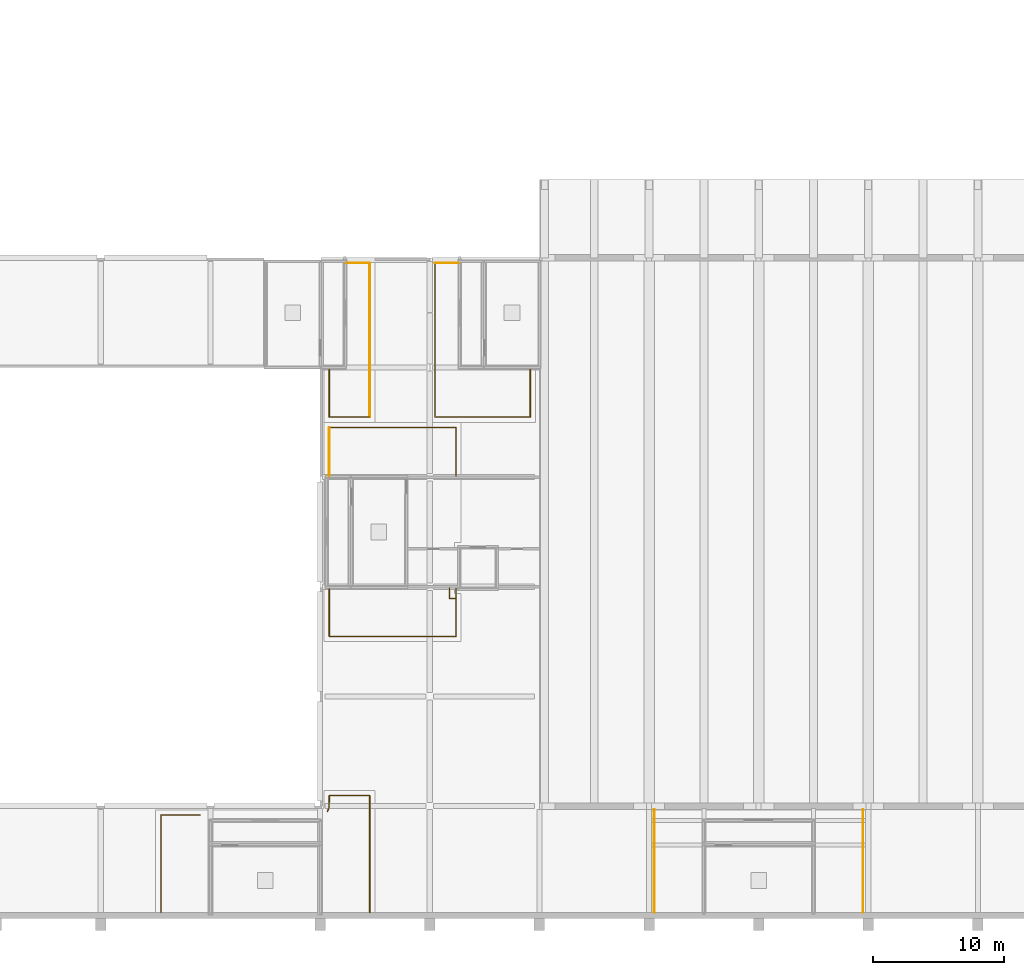
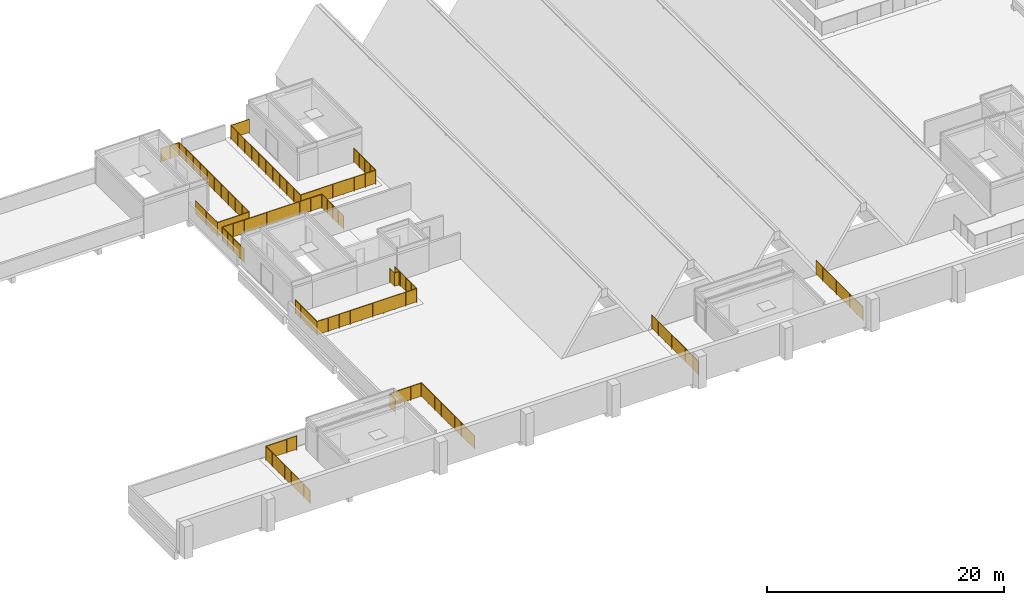
# One storey, part 21 of 24: 12 railings.
"""IFC4 building model written with IfcOpenShell, lengths in metres."""

from ifc_helpers import new_model, si_unit, direction, frame, origin, origin_2d, place, context, subcontext, project, spatial, polyline, circle, outline, extrude, material, type_object, element, save


model = new_model("IFC4")

# Units and contexts
model_context = context("Model", 3, precision=1e-05, world=origin(), true_north=direction((0.0, 1.0)))
body_context = subcontext(model_context, "Body", "Model", "MODEL_VIEW")
ifc_project = project(units=[si_unit("LENGTHUNIT", "METRE"), si_unit("AREAUNIT", "SQUARE_METRE"), si_unit("VOLUMEUNIT", "CUBIC_METRE"), si_unit("PLANEANGLEUNIT", "RADIAN"), si_unit("MASSUNIT", "GRAM", prefix="KILO")], contexts=[model_context])

# Site, building, storey
site_placement = place(None, origin())
site = spatial("IfcSite", under=ifc_project, at=site_placement, CompositionType="ELEMENT")
building_placement = place(site_placement, origin())
building = spatial("IfcBuilding", under=site, at=building_placement, Name="Rulbaag Community and Learning Centre", CompositionType="ELEMENT")
storey_placement = place(building_placement, frame((0.0, 0.0, 14.39990234375)))
storey = spatial("IfcBuildingStorey", under=building, at=storey_placement, Name="L03", CompositionType="ELEMENT", Elevation=14.39990234375)

# Railings
ifc_material = material(Name="Galvanised mild steel", Category="steel")
railing_type = type_object("IfcRailingType", Name="RL-150", PredefinedType="GUARDRAIL", material=ifc_material)
railing_1_placement = place(storey_placement, frame((29.0, 38.199951171875, 0.0)))
element("IfcRailing", 1, at=railing_1_placement, inside=storey, type_object=railing_type, Name="Terrace guard", PredefinedType="GUARDRAIL", context=body_context, shape_type="SweptSolid", body=[
    extrude(circle(Radius=0.02490234375, at=origin_2d()), frame((0.0, 0.0, 1.47509765625), z_axis=(-1.0, 0.0, 0.0), x_axis=(0.0, -1.0, 0.0)), (0.0, 0.0, 1.0), 3.10009765625),
    extrude(circle(Radius=0.02490234375, at=origin_2d()), frame((-3.10009765625, 0.0, 1.47509765625), z_axis=(-0.000263939285, 0.999999965168, 0.0), x_axis=(-0.999999965168, -0.000263939285, 0.0)), (0.0, 0.0, 1.0), 3.699951171875),
    extrude(circle(Radius=0.02001953125, at=origin_2d()), origin(), (0.0, 0.0, 1.0), 1.449951171875),
    extrude(circle(Radius=0.02001953125, at=origin_2d()), frame((-1.033447265625, 0.0, 0.0)), (0.0, 0.0, 1.0), 1.449951171875),
    extrude(circle(Radius=0.02001953125, at=origin_2d()), frame((-2.066650390625, 0.0, 0.0)), (0.0, 0.0, 1.0), 1.449951171875),
    extrude(circle(Radius=0.02001953125, at=origin_2d()), frame((-3.10009765625, 0.0, 0.0)), (0.0, 0.0, 1.0), 1.449951171875),
    extrude(circle(Radius=0.02001953125, at=origin_2d()), frame((-3.100341796875, 0.925048828125, 0.0)), (0.0, 0.0, 1.0), 1.449951171875),
    extrude(circle(Radius=0.02001953125, at=origin_2d()), frame((-3.1005859375, 1.85009765625, 0.0)), (0.0, 0.0, 1.0), 1.449951171875),
    extrude(circle(Radius=0.02001953125, at=origin_2d()), frame((-3.100830078125, 2.77490234375, 0.0)), (0.0, 0.0, 1.0), 1.449951171875),
    extrude(circle(Radius=0.02001953125, at=origin_2d()), frame((-3.10107421875, 3.699951171875, 0.0)), (0.0, 0.0, 1.0), 1.449951171875),
    extrude(outline(polyline([(0.0, 0.0), (3.10009765625, 0.0), (3.10009765625, 1.349853515625), (0.0, 1.349853515625), (0.0, 0.0)])), frame((0.0, -0.0048828125, 0.10009765625), z_axis=(0.0, 1.0, 0.0), x_axis=(-1.0, 0.0, 0.0)), (0.0, 0.0, 1.0), 0.010009765625),
    extrude(outline(polyline([(0.0, 0.0), (3.699951171875, 0.0), (3.699951171875, 1.349853515625), (0.0, 1.349853515625), (0.0, 0.0)])), frame((-3.10498046875, 0.0, 0.10009765625), z_axis=(0.999999965168, 0.000263939285, 0.0), x_axis=(-0.000263939285, 0.999999965168, 0.0)), (0.0, 0.0, 1.0), 0.010009765625),
])
railing_2_placement = place(storey_placement, frame((27.199951171875, 50.0, 0.0)))
element("IfcRailing", 2, at=railing_2_placement, inside=storey, type_object=railing_type, Name="Terrace guard", PredefinedType="GUARDRAIL", context=body_context, shape_type="SweptSolid", body=[
    extrude(circle(Radius=0.02490234375, at=origin_2d()), frame((0.0, 0.0, 1.47509765625), z_axis=(1.0, 0.0, 0.0), x_axis=(0.0, 1.0, 0.0)), (0.0, 0.0, 1.0), 1.800048828125),
    extrude(circle(Radius=0.02490234375, at=origin_2d()), frame((1.800048828125, 0.0, 1.47509765625), z_axis=(0.0, -1.0, 0.0), x_axis=(1.0, 0.0, 0.0)), (0.0, 0.0, 1.0), 11.800048828125),
    extrude(circle(Radius=0.02001953125, at=origin_2d()), origin(), (0.0, 0.0, 1.0), 1.449951171875),
    extrude(circle(Radius=0.02001953125, at=origin_2d()), frame((0.89990234375, 0.0, 0.0)), (0.0, 0.0, 1.0), 1.449951171875),
    extrude(circle(Radius=0.02001953125, at=origin_2d()), frame((1.800048828125, 0.0, 0.0)), (0.0, 0.0, 1.0), 1.449951171875),
    extrude(circle(Radius=0.02001953125, at=origin_2d()), frame((1.800048828125, -1.179931640625, 0.0)), (0.0, 0.0, 1.0), 1.449951171875),
    extrude(circle(Radius=0.02001953125, at=origin_2d()), frame((1.800048828125, -2.360107421875, 0.0)), (0.0, 0.0, 1.0), 1.449951171875),
    extrude(circle(Radius=0.02001953125, at=origin_2d()), frame((1.800048828125, -3.5400390625, 0.0)), (0.0, 0.0, 1.0), 1.449951171875),
    extrude(circle(Radius=0.02001953125, at=origin_2d()), frame((1.800048828125, -4.719970703125, 0.0)), (0.0, 0.0, 1.0), 1.449951171875),
    extrude(circle(Radius=0.02001953125, at=origin_2d()), frame((1.800048828125, -5.89990234375, 0.0)), (0.0, 0.0, 1.0), 1.449951171875),
    extrude(circle(Radius=0.02001953125, at=origin_2d()), frame((1.800048828125, -7.080078125, 0.0)), (0.0, 0.0, 1.0), 1.449951171875),
    extrude(circle(Radius=0.02001953125, at=origin_2d()), frame((1.800048828125, -8.260009765625, 0.0)), (0.0, 0.0, 1.0), 1.449951171875),
    extrude(circle(Radius=0.02001953125, at=origin_2d()), frame((1.800048828125, -9.43994140625, 0.0)), (0.0, 0.0, 1.0), 1.449951171875),
    extrude(circle(Radius=0.02001953125, at=origin_2d()), frame((1.800048828125, -10.6201171875, 0.0)), (0.0, 0.0, 1.0), 1.449951171875),
    extrude(circle(Radius=0.02001953125, at=origin_2d()), frame((1.800048828125, -11.800048828125, 0.0)), (0.0, 0.0, 1.0), 1.449951171875),
    extrude(outline(polyline([(0.0, 0.0), (1.800048828125, 0.0), (1.800048828125, 1.349853515625), (0.0, 1.349853515625), (0.0, 0.0)])), frame((0.0, 0.0048828125, 0.10009765625), z_axis=(0.0, -1.0, 0.0), x_axis=(1.0, 0.0, 0.0)), (0.0, 0.0, 1.0), 0.010009765625),
    extrude(outline(polyline([(0.0, 0.0), (11.800048828125, 0.0), (11.800048828125, 1.349853515625), (0.0, 1.349853515625), (0.0, 0.0)])), frame((1.80517578125, 0.0, 0.10009765625), z_axis=(-1.0, 0.0, 0.0), x_axis=(0.0, -1.0, 0.0)), (0.0, 0.0, 1.0), 0.010009765625),
])
railing_3_placement = place(storey_placement, frame((25.89990234375, 33.699951171875, 0.0)))
element("IfcRailing", 3, at=railing_3_placement, inside=storey, type_object=railing_type, Name="Terrace guard", PredefinedType="GUARDRAIL", context=body_context, shape_type="SweptSolid", body=[
    extrude(circle(Radius=0.02490234375, at=origin_2d()), frame((0.0, 0.0, 1.47509765625), z_axis=(0.0, 1.0, 0.0), x_axis=(-1.0, 0.0, 0.0)), (0.0, 0.0, 1.0), 3.699951171875),
    extrude(circle(Radius=0.02001953125, at=origin_2d()), origin(), (0.0, 0.0, 1.0), 1.449951171875),
    extrude(circle(Radius=0.02001953125, at=origin_2d()), frame((0.0, 0.925048828125, 0.0)), (0.0, 0.0, 1.0), 1.449951171875),
    extrude(circle(Radius=0.02001953125, at=origin_2d()), frame((0.0, 1.85009765625, 0.0)), (0.0, 0.0, 1.0), 1.449951171875),
    extrude(circle(Radius=0.02001953125, at=origin_2d()), frame((0.0, 2.77490234375, 0.0)), (0.0, 0.0, 1.0), 1.449951171875),
    extrude(circle(Radius=0.02001953125, at=origin_2d()), frame((0.0, 3.699951171875, 0.0)), (0.0, 0.0, 1.0), 1.449951171875),
    extrude(outline(polyline([(0.0, 0.0), (3.699951171875, 0.0), (3.699951171875, 1.349853515625), (0.0, 1.349853515625), (0.0, 0.0)])), frame((-0.0048828125, 0.0, 0.10009765625), z_axis=(1.0, 0.0, 0.0), x_axis=(0.0, 1.0, 0.0)), (0.0, 0.0, 1.0), 0.010009765625),
])
railing_4_placement = place(storey_placement, frame((25.89990234375, 37.39990234375, 0.0)))
element("IfcRailing", 4, at=railing_4_placement, inside=storey, type_object=railing_type, Name="Terrace guard", PredefinedType="GUARDRAIL", context=body_context, shape_type="SweptSolid", body=[
    extrude(circle(Radius=0.02490234375, at=origin_2d()), frame((0.0, 0.0, 1.47509765625), z_axis=(1.0, 0.0, 0.0), x_axis=(0.0, 1.0, 0.0)), (0.0, 0.0, 1.0), 9.7001953125),
    extrude(circle(Radius=0.02490234375, at=origin_2d()), frame((9.7001953125, 0.0, 1.47509765625), z_axis=(0.0, -1.0, 0.0), x_axis=(1.0, 0.0, 0.0)), (0.0, 0.0, 1.0), 3.699951171875),
    extrude(circle(Radius=0.02001953125, at=origin_2d()), origin(), (0.0, 0.0, 1.0), 1.449951171875),
    extrude(circle(Radius=0.02001953125, at=origin_2d()), frame((1.077880859375, 0.0, 0.0)), (0.0, 0.0, 1.0), 1.449951171875),
    extrude(circle(Radius=0.02001953125, at=origin_2d()), frame((2.155517578125, 0.0, 0.0)), (0.0, 0.0, 1.0), 1.449951171875),
    extrude(circle(Radius=0.02001953125, at=origin_2d()), frame((3.2333984375, 0.0, 0.0)), (0.0, 0.0, 1.0), 1.449951171875),
    extrude(circle(Radius=0.02001953125, at=origin_2d()), frame((4.311279296875, 0.0, 0.0)), (0.0, 0.0, 1.0), 1.449951171875),
    extrude(circle(Radius=0.02001953125, at=origin_2d()), frame((5.388916015625, 0.0, 0.0)), (0.0, 0.0, 1.0), 1.449951171875),
    extrude(circle(Radius=0.02001953125, at=origin_2d()), frame((6.466796875, 0.0, 0.0)), (0.0, 0.0, 1.0), 1.449951171875),
    extrude(circle(Radius=0.02001953125, at=origin_2d()), frame((7.544677734375, 0.0, 0.0)), (0.0, 0.0, 1.0), 1.449951171875),
    extrude(circle(Radius=0.02001953125, at=origin_2d()), frame((8.622314453125, 0.0, 0.0)), (0.0, 0.0, 1.0), 1.449951171875),
    extrude(circle(Radius=0.02001953125, at=origin_2d()), frame((9.7001953125, 0.0, 0.0)), (0.0, 0.0, 1.0), 1.449951171875),
    extrude(circle(Radius=0.02001953125, at=origin_2d()), frame((9.7001953125, -0.925048828125, 0.0)), (0.0, 0.0, 1.0), 1.449951171875),
    extrude(circle(Radius=0.02001953125, at=origin_2d()), frame((9.7001953125, -1.85009765625, 0.0)), (0.0, 0.0, 1.0), 1.449951171875),
    extrude(circle(Radius=0.02001953125, at=origin_2d()), frame((9.7001953125, -2.77490234375, 0.0)), (0.0, 0.0, 1.0), 1.449951171875),
    extrude(circle(Radius=0.02001953125, at=origin_2d()), frame((9.7001953125, -3.699951171875, 0.0)), (0.0, 0.0, 1.0), 1.449951171875),
    extrude(outline(polyline([(0.0, 0.0), (9.7001953125, 0.0), (9.7001953125, 1.349853515625), (0.0, 1.349853515625), (0.0, 0.0)])), frame((0.0, 0.0048828125, 0.10009765625), z_axis=(0.0, -1.0, 0.0), x_axis=(1.0, 0.0, 0.0)), (0.0, 0.0, 1.0), 0.010009765625),
    extrude(outline(polyline([(0.0, 0.0), (3.699951171875, 0.0), (3.699951171875, 1.349853515625), (0.0, 1.349853515625), (0.0, 0.0)])), frame((9.705078125, 0.0, 0.10009765625), z_axis=(-1.0, 0.0, 0.0), x_axis=(0.0, -1.0, 0.0)), (0.0, 0.0, 1.0), 0.010009765625),
])
railing_5_placement = place(storey_placement, frame((35.10009765625, 25.10009765625, 0.0)))
element("IfcRailing", 5, at=railing_5_placement, inside=storey, type_object=railing_type, Name="Terrace guard", PredefinedType="GUARDRAIL", context=body_context, shape_type="SweptSolid", body=[
    extrude(circle(Radius=0.02490234375, at=origin_2d()), frame((0.0, 0.0, 1.47509765625), z_axis=(0.0, -1.0, 0.0), x_axis=(1.0, 0.0, 0.0)), (0.0, 0.0, 1.0), 0.800048828125),
    extrude(circle(Radius=0.02490234375, at=origin_2d()), frame((0.0, -0.800048828125, 1.47509765625), z_axis=(1.0, 0.0, 0.0), x_axis=(0.0, 1.0, 0.0)), (0.0, 0.0, 1.0), 0.469970703125),
    extrude(circle(Radius=0.02001953125, at=origin_2d()), origin(), (0.0, 0.0, 1.0), 1.449951171875),
    extrude(circle(Radius=0.02001953125, at=origin_2d()), frame((0.0, -0.800048828125, 0.0)), (0.0, 0.0, 1.0), 1.449951171875),
    extrude(circle(Radius=0.02001953125, at=origin_2d()), frame((0.469970703125, -0.800048828125, 0.0)), (0.0, 0.0, 1.0), 1.449951171875),
    extrude(outline(polyline([(0.0, 0.0), (0.800048828125, 0.0), (0.800048828125, 1.349853515625), (0.0, 1.349853515625), (0.0, 0.0)])), frame((0.0048828125, 0.0, 0.10009765625), z_axis=(-1.0, 0.0, 0.0), x_axis=(0.0, -1.0, 0.0)), (0.0, 0.0, 1.0), 0.010009765625),
    extrude(outline(polyline([(0.0, 0.0), (0.469970703125, 0.0), (0.469970703125, 1.349853515625), (0.0, 1.349853515625), (0.0, 0.0)])), frame((0.0, -0.794921875, 0.10009765625), z_axis=(0.0, -1.0, 0.0), x_axis=(1.0, 0.0, 0.0)), (0.0, 0.0, 1.0), 0.010009765625),
])
railing_6_placement = place(storey_placement, frame((35.60009765625, 25.10009765625, 0.0)))
element("IfcRailing", 6, at=railing_6_placement, inside=storey, type_object=railing_type, Name="Terrace guard", PredefinedType="GUARDRAIL", context=body_context, shape_type="SweptSolid", body=[
    extrude(circle(Radius=0.02490234375, at=origin_2d()), frame((0.0, 0.0, 1.47509765625), z_axis=(0.0, -1.0, 0.0), x_axis=(1.0, 0.0, 0.0)), (0.0, 0.0, 1.0), 3.7001953125),
    extrude(circle(Radius=0.02490234375, at=origin_2d()), frame((0.0, -3.7001953125, 1.47509765625), z_axis=(-1.0, 0.0, 0.0), x_axis=(0.0, -1.0, 0.0)), (0.0, 0.0, 1.0), 9.7001953125),
    extrude(circle(Radius=0.02490234375, at=origin_2d()), frame((-9.7001953125, -3.7001953125, 1.47509765625), z_axis=(0.0, 1.0, 0.0), x_axis=(-1.0, 0.0, 0.0)), (0.0, 0.0, 1.0), 3.7001953125),
    extrude(circle(Radius=0.02001953125, at=origin_2d()), origin(), (0.0, 0.0, 1.0), 1.449951171875),
    extrude(circle(Radius=0.02001953125, at=origin_2d()), frame((0.0, -0.925048828125, 0.0)), (0.0, 0.0, 1.0), 1.449951171875),
    extrude(circle(Radius=0.02001953125, at=origin_2d()), frame((0.0, -1.85009765625, 0.0)), (0.0, 0.0, 1.0), 1.449951171875),
    extrude(circle(Radius=0.02001953125, at=origin_2d()), frame((0.0, -2.775146484375, 0.0)), (0.0, 0.0, 1.0), 1.449951171875),
    extrude(circle(Radius=0.02001953125, at=origin_2d()), frame((0.0, -3.7001953125, 0.0)), (0.0, 0.0, 1.0), 1.449951171875),
    extrude(circle(Radius=0.02001953125, at=origin_2d()), frame((-1.077880859375, -3.7001953125, 0.0)), (0.0, 0.0, 1.0), 1.449951171875),
    extrude(circle(Radius=0.02001953125, at=origin_2d()), frame((-2.155517578125, -3.7001953125, 0.0)), (0.0, 0.0, 1.0), 1.449951171875),
    extrude(circle(Radius=0.02001953125, at=origin_2d()), frame((-3.2333984375, -3.7001953125, 0.0)), (0.0, 0.0, 1.0), 1.449951171875),
    extrude(circle(Radius=0.02001953125, at=origin_2d()), frame((-4.311279296875, -3.7001953125, 0.0)), (0.0, 0.0, 1.0), 1.449951171875),
    extrude(circle(Radius=0.02001953125, at=origin_2d()), frame((-5.388916015625, -3.7001953125, 0.0)), (0.0, 0.0, 1.0), 1.449951171875),
    extrude(circle(Radius=0.02001953125, at=origin_2d()), frame((-6.466796875, -3.7001953125, 0.0)), (0.0, 0.0, 1.0), 1.449951171875),
    extrude(circle(Radius=0.02001953125, at=origin_2d()), frame((-7.544677734375, -3.7001953125, 0.0)), (0.0, 0.0, 1.0), 1.449951171875),
    extrude(circle(Radius=0.02001953125, at=origin_2d()), frame((-8.622314453125, -3.7001953125, 0.0)), (0.0, 0.0, 1.0), 1.449951171875),
    extrude(circle(Radius=0.02001953125, at=origin_2d()), frame((-9.7001953125, -3.7001953125, 0.0)), (0.0, 0.0, 1.0), 1.449951171875),
    extrude(circle(Radius=0.02001953125, at=origin_2d()), frame((-9.7001953125, -2.775146484375, 0.0)), (0.0, 0.0, 1.0), 1.449951171875),
    extrude(circle(Radius=0.02001953125, at=origin_2d()), frame((-9.7001953125, -1.85009765625, 0.0)), (0.0, 0.0, 1.0), 1.449951171875),
    extrude(circle(Radius=0.02001953125, at=origin_2d()), frame((-9.7001953125, -0.925048828125, 0.0)), (0.0, 0.0, 1.0), 1.449951171875),
    extrude(circle(Radius=0.02001953125, at=origin_2d()), frame((-9.7001953125, 0.0, 0.0)), (0.0, 0.0, 1.0), 1.449951171875),
    extrude(outline(polyline([(0.0, 0.0), (3.7001953125, 0.0), (3.7001953125, 1.349853515625), (0.0, 1.349853515625), (0.0, 0.0)])), frame((0.0048828125, 0.0, 0.10009765625), z_axis=(-1.0, 0.0, 0.0), x_axis=(0.0, -1.0, 0.0)), (0.0, 0.0, 1.0), 0.010009765625),
    extrude(outline(polyline([(0.0, 0.0), (9.7001953125, 0.0), (9.7001953125, 1.349853515625), (0.0, 1.349853515625), (0.0, 0.0)])), frame((0.0, -3.705078125, 0.10009765625), z_axis=(0.0, 1.0, 0.0), x_axis=(-1.0, 0.0, 0.0)), (0.0, 0.0, 1.0), 0.010009765625),
    extrude(outline(polyline([(0.0, 0.0), (3.7001953125, 0.0), (3.7001953125, 1.349853515625), (0.0, 1.349853515625), (0.0, 0.0)])), frame((-9.705078125, -3.7001953125, 0.10009765625), z_axis=(1.0, 0.0, 0.0), x_axis=(0.0, 1.0, 0.0)), (0.0, 0.0, 1.0), 0.010009765625),
])
railing_7_placement = place(storey_placement, frame((41.300048828125, 41.89990234375, 0.0)))
element("IfcRailing", 7, at=railing_7_placement, inside=storey, type_object=railing_type, Name="Terrace guard", PredefinedType="GUARDRAIL", context=body_context, shape_type="SweptSolid", body=[
    extrude(circle(Radius=0.02490234375, at=origin_2d()), frame((0.0, 0.0, 1.47509765625), z_axis=(0.0, -1.0, 0.0), x_axis=(1.0, 0.0, 0.0)), (0.0, 0.0, 1.0), 3.699951171875),
    extrude(circle(Radius=0.02490234375, at=origin_2d()), frame((0.0, -3.699951171875, 1.47509765625), z_axis=(-1.0, 0.0, 0.0), x_axis=(0.0, -1.0, 0.0)), (0.0, 0.0, 1.0), 7.300048828125),
    extrude(circle(Radius=0.02490234375, at=origin_2d()), frame((-7.300048828125, -3.699951171875, 1.47509765625), z_axis=(0.0, 1.0, 0.0), x_axis=(-1.0, 0.0, 0.0)), (0.0, 0.0, 1.0), 11.800048828125),
    extrude(circle(Radius=0.02001953125, at=origin_2d()), origin(), (0.0, 0.0, 1.0), 1.449951171875),
    extrude(circle(Radius=0.02001953125, at=origin_2d()), frame((0.0, -0.925048828125, 0.0)), (0.0, 0.0, 1.0), 1.449951171875),
    extrude(circle(Radius=0.02001953125, at=origin_2d()), frame((0.0, -1.85009765625, 0.0)), (0.0, 0.0, 1.0), 1.449951171875),
    extrude(circle(Radius=0.02001953125, at=origin_2d()), frame((0.0, -2.77490234375, 0.0)), (0.0, 0.0, 1.0), 1.449951171875),
    extrude(circle(Radius=0.02001953125, at=origin_2d()), frame((0.0, -3.699951171875, 0.0)), (0.0, 0.0, 1.0), 1.449951171875),
    extrude(circle(Radius=0.02001953125, at=origin_2d()), frame((-1.04296875, -3.699951171875, 0.0)), (0.0, 0.0, 1.0), 1.449951171875),
    extrude(circle(Radius=0.02001953125, at=origin_2d()), frame((-2.085693359375, -3.699951171875, 0.0)), (0.0, 0.0, 1.0), 1.449951171875),
    extrude(circle(Radius=0.02001953125, at=origin_2d()), frame((-3.128662109375, -3.699951171875, 0.0)), (0.0, 0.0, 1.0), 1.449951171875),
    extrude(circle(Radius=0.02001953125, at=origin_2d()), frame((-4.17138671875, -3.699951171875, 0.0)), (0.0, 0.0, 1.0), 1.449951171875),
    extrude(circle(Radius=0.02001953125, at=origin_2d()), frame((-5.21435546875, -3.699951171875, 0.0)), (0.0, 0.0, 1.0), 1.449951171875),
    extrude(circle(Radius=0.02001953125, at=origin_2d()), frame((-6.257080078125, -3.699951171875, 0.0)), (0.0, 0.0, 1.0), 1.449951171875),
    extrude(circle(Radius=0.02001953125, at=origin_2d()), frame((-7.300048828125, -3.699951171875, 0.0)), (0.0, 0.0, 1.0), 1.449951171875),
    extrude(circle(Radius=0.02001953125, at=origin_2d()), frame((-7.300048828125, -2.52001953125, 0.0)), (0.0, 0.0, 1.0), 1.449951171875),
    extrude(circle(Radius=0.02001953125, at=origin_2d()), frame((-7.300048828125, -1.33984375, 0.0)), (0.0, 0.0, 1.0), 1.449951171875),
    extrude(circle(Radius=0.02001953125, at=origin_2d()), frame((-7.300048828125, -0.159912109375, 0.0)), (0.0, 0.0, 1.0), 1.449951171875),
    extrude(circle(Radius=0.02001953125, at=origin_2d()), frame((-7.300048828125, 1.02001953125, 0.0)), (0.0, 0.0, 1.0), 1.449951171875),
    extrude(circle(Radius=0.02001953125, at=origin_2d()), frame((-7.300048828125, 2.2001953125, 0.0)), (0.0, 0.0, 1.0), 1.449951171875),
    extrude(circle(Radius=0.02001953125, at=origin_2d()), frame((-7.300048828125, 3.380126953125, 0.0)), (0.0, 0.0, 1.0), 1.449951171875),
    extrude(circle(Radius=0.02001953125, at=origin_2d()), frame((-7.300048828125, 4.56005859375, 0.0)), (0.0, 0.0, 1.0), 1.449951171875),
    extrude(circle(Radius=0.02001953125, at=origin_2d()), frame((-7.300048828125, 5.739990234375, 0.0)), (0.0, 0.0, 1.0), 1.449951171875),
    extrude(circle(Radius=0.02001953125, at=origin_2d()), frame((-7.300048828125, 6.920166015625, 0.0)), (0.0, 0.0, 1.0), 1.449951171875),
    extrude(circle(Radius=0.02001953125, at=origin_2d()), frame((-7.300048828125, 8.10009765625, 0.0)), (0.0, 0.0, 1.0), 1.449951171875),
    extrude(outline(polyline([(0.0, 0.0), (3.699951171875, 0.0), (3.699951171875, 1.349853515625), (0.0, 1.349853515625), (0.0, 0.0)])), frame((0.0048828125, 0.0, 0.10009765625), z_axis=(-1.0, 0.0, 0.0), x_axis=(0.0, -1.0, 0.0)), (0.0, 0.0, 1.0), 0.010009765625),
    extrude(outline(polyline([(0.0, 0.0), (7.300048828125, 0.0), (7.300048828125, 1.349853515625), (0.0, 1.349853515625), (0.0, 0.0)])), frame((0.0, -3.705078125, 0.10009765625), z_axis=(0.0, 1.0, 0.0), x_axis=(-1.0, 0.0, 0.0)), (0.0, 0.0, 1.0), 0.010009765625),
    extrude(outline(polyline([(0.0, 0.0), (11.800048828125, 0.0), (11.800048828125, 1.349853515625), (0.0, 1.349853515625), (0.0, 0.0)])), frame((-7.30517578125, -3.699951171875, 0.10009765625), z_axis=(1.0, 0.0, 0.0), x_axis=(0.0, 1.0, 0.0)), (0.0, 0.0, 1.0), 0.010009765625),
])
railing_8_placement = place(storey_placement, frame((34.0, 50.0, 0.0)))
element("IfcRailing", 8, at=railing_8_placement, inside=storey, type_object=railing_type, Name="Terrace guard", PredefinedType="GUARDRAIL", context=body_context, shape_type="SweptSolid", body=[
    extrude(circle(Radius=0.02490234375, at=origin_2d()), frame((0.0, 0.0, 1.47509765625), z_axis=(1.0, 0.0, 0.0), x_axis=(0.0, 1.0, 0.0)), (0.0, 0.0, 1.0), 1.800048828125),
    extrude(circle(Radius=0.02001953125, at=origin_2d()), origin(), (0.0, 0.0, 1.0), 1.449951171875),
    extrude(circle(Radius=0.02001953125, at=origin_2d()), frame((0.89990234375, 0.0, 0.0)), (0.0, 0.0, 1.0), 1.449951171875),
    extrude(circle(Radius=0.02001953125, at=origin_2d()), frame((1.800048828125, 0.0, 0.0)), (0.0, 0.0, 1.0), 1.449951171875),
    extrude(outline(polyline([(0.0, 0.0), (1.800048828125, 0.0), (1.800048828125, 1.349853515625), (0.0, 1.349853515625), (0.0, 0.0)])), frame((0.0, 0.0048828125, 0.10009765625), z_axis=(0.0, -1.0, 0.0), x_axis=(1.0, 0.0, 0.0)), (0.0, 0.0, 1.0), 0.010009765625),
])
railing_9_placement = place(storey_placement, frame((50.800048828125, 0.22509765625, 0.0)))
element("IfcRailing", 9, at=railing_9_placement, inside=storey, type_object=railing_type, Name="Terrace guard", PredefinedType="GUARDRAIL", context=body_context, shape_type="SweptSolid", body=[
    extrude(circle(Radius=0.02490234375, at=origin_2d()), frame((0.0, 0.0, 1.47509765625), z_axis=(0.0, 1.0, 0.0), x_axis=(-1.0, 0.0, 0.0)), (0.0, 0.0, 1.0), 7.9248046875),
    extrude(circle(Radius=0.02001953125, at=origin_2d()), origin(), (0.0, 0.0, 1.0), 1.449951171875),
    extrude(circle(Radius=0.02001953125, at=origin_2d()), frame((0.0, 1.132080078125, 0.0)), (0.0, 0.0, 1.0), 1.449951171875),
    extrude(circle(Radius=0.02001953125, at=origin_2d()), frame((0.0, 2.26416015625, 0.0)), (0.0, 0.0, 1.0), 1.449951171875),
    extrude(circle(Radius=0.02001953125, at=origin_2d()), frame((0.0, 3.396240234375, 0.0)), (0.0, 0.0, 1.0), 1.449951171875),
    extrude(circle(Radius=0.02001953125, at=origin_2d()), frame((0.0, 4.528564453125, 0.0)), (0.0, 0.0, 1.0), 1.449951171875),
    extrude(circle(Radius=0.02001953125, at=origin_2d()), frame((0.0, 5.66064453125, 0.0)), (0.0, 0.0, 1.0), 1.449951171875),
    extrude(circle(Radius=0.02001953125, at=origin_2d()), frame((0.0, 6.792724609375, 0.0)), (0.0, 0.0, 1.0), 1.449951171875),
    extrude(circle(Radius=0.02001953125, at=origin_2d()), frame((0.0, 7.9248046875, 0.0)), (0.0, 0.0, 1.0), 1.449951171875),
    extrude(outline(polyline([(0.0, 0.0), (7.9248046875, 0.0), (7.9248046875, 1.349853515625), (0.0, 1.349853515625), (0.0, 0.0)])), frame((-0.0048828125, 0.0, 0.10009765625), z_axis=(1.0, 0.0, 0.0), x_axis=(0.0, 1.0, 0.0)), (0.0, 0.0, 1.0), 0.010009765625),
])
railing_10_placement = place(storey_placement, frame((66.800048828125, 8.14990234375, 0.0)))
element("IfcRailing", 10, at=railing_10_placement, inside=storey, type_object=railing_type, Name="Terrace guard", PredefinedType="GUARDRAIL", context=body_context, shape_type="SweptSolid", body=[
    extrude(circle(Radius=0.02490234375, at=origin_2d()), frame((0.0, 0.0, 1.47509765625), z_axis=(0.0, -1.0, 0.0), x_axis=(1.0, 0.0, 0.0)), (0.0, 0.0, 1.0), 7.9248046875),
    extrude(circle(Radius=0.02001953125, at=origin_2d()), origin(), (0.0, 0.0, 1.0), 1.449951171875),
    extrude(circle(Radius=0.02001953125, at=origin_2d()), frame((0.0, -1.132080078125, 0.0)), (0.0, 0.0, 1.0), 1.449951171875),
    extrude(circle(Radius=0.02001953125, at=origin_2d()), frame((0.0, -2.26416015625, 0.0)), (0.0, 0.0, 1.0), 1.449951171875),
    extrude(circle(Radius=0.02001953125, at=origin_2d()), frame((0.0, -3.396240234375, 0.0)), (0.0, 0.0, 1.0), 1.449951171875),
    extrude(circle(Radius=0.02001953125, at=origin_2d()), frame((0.0, -4.528564453125, 0.0)), (0.0, 0.0, 1.0), 1.449951171875),
    extrude(circle(Radius=0.02001953125, at=origin_2d()), frame((0.0, -5.66064453125, 0.0)), (0.0, 0.0, 1.0), 1.449951171875),
    extrude(circle(Radius=0.02001953125, at=origin_2d()), frame((0.0, -6.792724609375, 0.0)), (0.0, 0.0, 1.0), 1.449951171875),
    extrude(circle(Radius=0.02001953125, at=origin_2d()), frame((0.0, -7.9248046875, 0.0)), (0.0, 0.0, 1.0), 1.449951171875),
    extrude(outline(polyline([(0.0, 0.0), (7.9248046875, 0.0), (7.9248046875, 1.349853515625), (0.0, 1.349853515625), (0.0, 0.0)])), frame((0.0048828125, 0.0, 0.10009765625), z_axis=(-1.0, 0.0, 0.0), x_axis=(0.0, -1.0, 0.0)), (0.0, 0.0, 1.0), 0.010009765625),
])
railing_11_placement = place(storey_placement, frame((13.0, 0.22509765625, 0.0)))
element("IfcRailing", 11, at=railing_11_placement, inside=storey, type_object=railing_type, Name="Terrace guard", PredefinedType="GUARDRAIL", context=body_context, shape_type="SweptSolid", body=[
    extrude(circle(Radius=0.02490234375, at=origin_2d()), frame((0.0, 0.0, 1.47509765625), z_axis=(0.0, 1.0, 0.0), x_axis=(-1.0, 0.0, 0.0)), (0.0, 0.0, 1.0), 7.474853515625),
    extrude(circle(Radius=0.02490234375, at=origin_2d()), frame((0.0, 7.474853515625, 1.47509765625), z_axis=(1.0, 0.0, 0.0), x_axis=(0.0, 1.0, 0.0)), (0.0, 0.0, 1.0), 3.01318359375),
    extrude(circle(Radius=0.02001953125, at=origin_2d()), origin(), (0.0, 0.0, 1.0), 1.449951171875),
    extrude(circle(Radius=0.02001953125, at=origin_2d()), frame((0.0, 1.06787109375, 0.0)), (0.0, 0.0, 1.0), 1.449951171875),
    extrude(circle(Radius=0.02001953125, at=origin_2d()), frame((0.0, 2.1357421875, 0.0)), (0.0, 0.0, 1.0), 1.449951171875),
    extrude(circle(Radius=0.02001953125, at=origin_2d()), frame((0.0, 3.20361328125, 0.0)), (0.0, 0.0, 1.0), 1.449951171875),
    extrude(circle(Radius=0.02001953125, at=origin_2d()), frame((0.0, 4.271240234375, 0.0)), (0.0, 0.0, 1.0), 1.449951171875),
    extrude(circle(Radius=0.02001953125, at=origin_2d()), frame((0.0, 5.339111328125, 0.0)), (0.0, 0.0, 1.0), 1.449951171875),
    extrude(circle(Radius=0.02001953125, at=origin_2d()), frame((0.0, 6.406982421875, 0.0)), (0.0, 0.0, 1.0), 1.449951171875),
    extrude(circle(Radius=0.02001953125, at=origin_2d()), frame((0.0, 7.474853515625, 0.0)), (0.0, 0.0, 1.0), 1.449951171875),
    extrude(circle(Radius=0.02001953125, at=origin_2d()), frame((1.00439453125, 7.474853515625, 0.0)), (0.0, 0.0, 1.0), 1.449951171875),
    extrude(circle(Radius=0.02001953125, at=origin_2d()), frame((2.0087890625, 7.474853515625, 0.0)), (0.0, 0.0, 1.0), 1.449951171875),
    extrude(circle(Radius=0.02001953125, at=origin_2d()), frame((3.01318359375, 7.474853515625, 0.0)), (0.0, 0.0, 1.0), 1.449951171875),
    extrude(outline(polyline([(0.0, 0.0), (7.474853515625, 0.0), (7.474853515625, 1.349853515625), (0.0, 1.349853515625), (0.0, 0.0)])), frame((-0.0048828125, 0.0, 0.10009765625), z_axis=(1.0, 0.0, 0.0), x_axis=(0.0, 1.0, 0.0)), (0.0, 0.0, 1.0), 0.010009765625),
    extrude(outline(polyline([(0.0, 0.0), (3.01318359375, 0.0), (3.01318359375, 1.349853515625), (0.0, 1.349853515625), (0.0, 0.0)])), frame((0.0, 7.47998046875, 0.10009765625), z_axis=(0.0, -1.0, 0.0), x_axis=(1.0, 0.0, 0.0)), (0.0, 0.0, 1.0), 0.010009765625),
])
railing_12_placement = place(storey_placement, frame((25.759765625, 7.99169921875, 0.0)))
element("IfcRailing", 12, at=railing_12_placement, inside=storey, type_object=railing_type, Name="Terrace guard", PredefinedType="GUARDRAIL", context=body_context, shape_type="SweptSolid", body=[
    extrude(circle(Radius=0.02490234375, at=origin_2d()), frame((0.0, 0.0, 1.47509765625), z_axis=(0.428507326814, 0.903538306253, 0.0), x_axis=(-0.903538306253, 0.428507326814, 0.0)), (0.0, 0.0, 1.0), 0.299072265625),
    extrude(circle(Radius=0.02490234375, at=origin_2d()), frame((0.128173828125, 0.270263671875, 1.47509765625), z_axis=(0.012752736946, 0.999918680544, 0.0), x_axis=(-0.999918680544, 0.012752736946, 0.0)), (0.0, 0.0, 1.0), 0.93798828125),
    extrude(circle(Radius=0.02490234375, at=origin_2d()), frame((0.14013671875, 1.208251953125, 1.47509765625), z_axis=(1.0, 0.0, 0.0), x_axis=(0.0, 1.0, 0.0)), (0.0, 0.0, 1.0), 3.10009765625),
    extrude(circle(Radius=0.02490234375, at=origin_2d()), frame((3.240234375, 1.208251953125, 1.47509765625), z_axis=(0.0, -1.0, 0.0), x_axis=(1.0, 0.0, 0.0)), (0.0, 0.0, 1.0), 8.974853515625),
    extrude(circle(Radius=0.02001953125, at=origin_2d()), origin(), (0.0, 0.0, 1.0), 1.449951171875),
    extrude(circle(Radius=0.02001953125, at=origin_2d()), frame((0.128173828125, 0.270263671875, 0.0)), (0.0, 0.0, 1.0), 1.449951171875),
    extrude(circle(Radius=0.02001953125, at=origin_2d()), frame((0.14013671875, 1.208251953125, 0.0)), (0.0, 0.0, 1.0), 1.449951171875),
    extrude(circle(Radius=0.02001953125, at=origin_2d()), frame((1.173583984375, 1.208251953125, 0.0)), (0.0, 0.0, 1.0), 1.449951171875),
    extrude(circle(Radius=0.02001953125, at=origin_2d()), frame((2.206787109375, 1.208251953125, 0.0)), (0.0, 0.0, 1.0), 1.449951171875),
    extrude(circle(Radius=0.02001953125, at=origin_2d()), frame((3.240234375, 1.208251953125, 0.0)), (0.0, 0.0, 1.0), 1.449951171875),
    extrude(circle(Radius=0.02001953125, at=origin_2d()), frame((3.240234375, 0.08642578125, 0.0)), (0.0, 0.0, 1.0), 1.449951171875),
    extrude(circle(Radius=0.02001953125, at=origin_2d()), frame((3.240234375, -1.035400390625, 0.0)), (0.0, 0.0, 1.0), 1.449951171875),
    extrude(circle(Radius=0.02001953125, at=origin_2d()), frame((3.240234375, -2.1572265625, 0.0)), (0.0, 0.0, 1.0), 1.449951171875),
    extrude(circle(Radius=0.02001953125, at=origin_2d()), frame((3.240234375, -3.279296875, 0.0)), (0.0, 0.0, 1.0), 1.449951171875),
    extrude(circle(Radius=0.02001953125, at=origin_2d()), frame((3.240234375, -4.401123046875, 0.0)), (0.0, 0.0, 1.0), 1.449951171875),
    extrude(circle(Radius=0.02001953125, at=origin_2d()), frame((3.240234375, -5.52294921875, 0.0)), (0.0, 0.0, 1.0), 1.449951171875),
    extrude(circle(Radius=0.02001953125, at=origin_2d()), frame((3.240234375, -6.644775390625, 0.0)), (0.0, 0.0, 1.0), 1.449951171875),
    extrude(circle(Radius=0.02001953125, at=origin_2d()), frame((3.240234375, -7.7666015625, 0.0)), (0.0, 0.0, 1.0), 1.449951171875),
    extrude(outline(polyline([(0.0, 0.0), (0.299072265625, 0.0), (0.299072265625, 1.349853515625), (0.0, 1.349853515625), (0.0, 0.0)])), frame((-0.004638671875, 0.002197265625, 0.10009765625), z_axis=(0.903538306253, -0.428507326814, 0.0), x_axis=(0.428507326814, 0.903538306253, 0.0)), (0.0, 0.0, 1.0), 0.010009765625),
    extrude(outline(polyline([(0.0, 0.0), (0.93798828125, 0.0), (0.93798828125, 1.349853515625), (0.0, 1.349853515625), (0.0, 0.0)])), frame((0.123291015625, 0.270263671875, 0.10009765625), z_axis=(0.999918680544, -0.012752736946, 0.0), x_axis=(0.012752736946, 0.999918680544, 0.0)), (0.0, 0.0, 1.0), 0.010009765625),
    extrude(outline(polyline([(0.0, 0.0), (3.10009765625, 0.0), (3.10009765625, 1.349853515625), (0.0, 1.349853515625), (0.0, 0.0)])), frame((0.14013671875, 1.21337890625, 0.10009765625), z_axis=(0.0, -1.0, 0.0), x_axis=(1.0, 0.0, 0.0)), (0.0, 0.0, 1.0), 0.010009765625),
    extrude(outline(polyline([(0.0, 0.0), (8.974853515625, 0.0), (8.974853515625, 1.349853515625), (0.0, 1.349853515625), (0.0, 0.0)])), frame((3.2451171875, 1.208251953125, 0.10009765625), z_axis=(-1.0, 0.0, 0.0), x_axis=(0.0, -1.0, 0.0)), (0.0, 0.0, 1.0), 0.010009765625),
])

save(model, "model.ifc")
